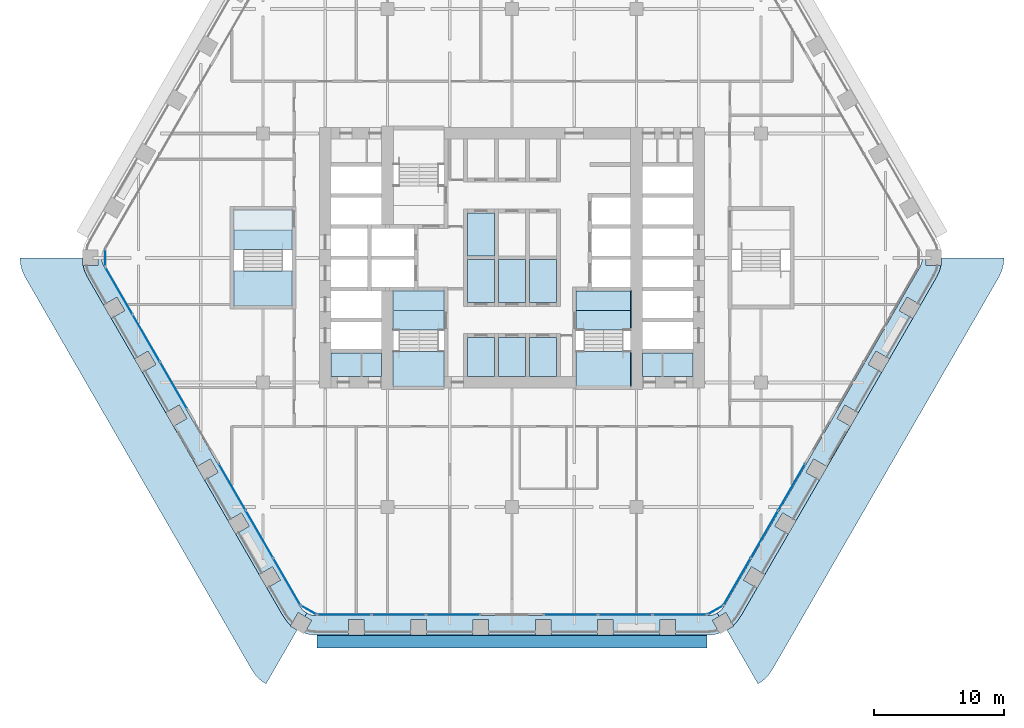
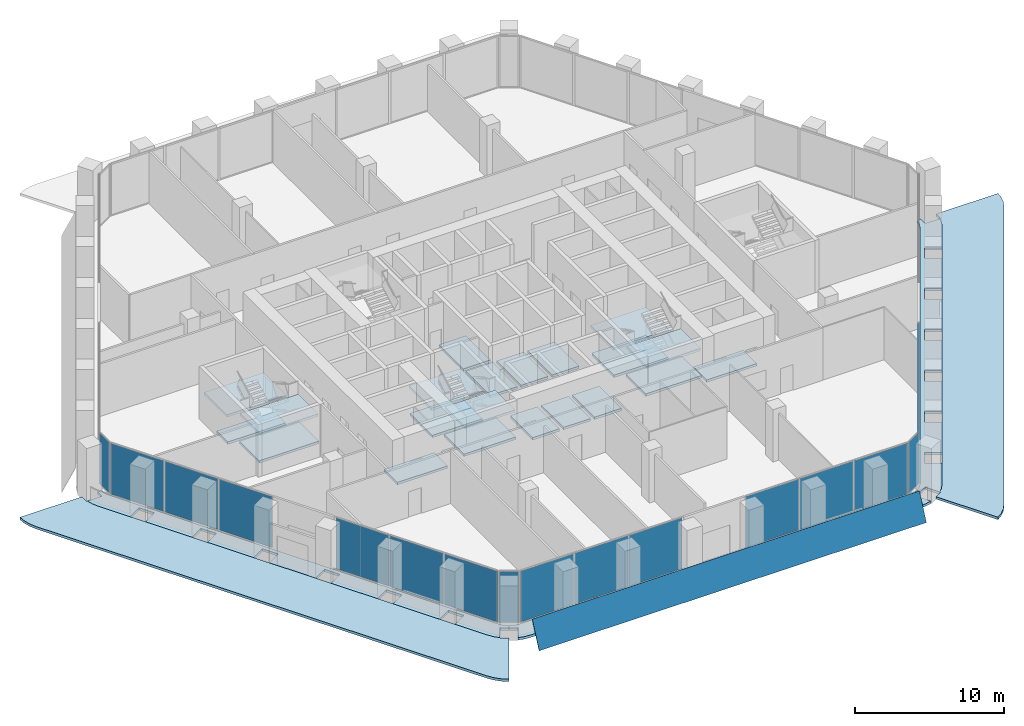
# One storey, part 10 of 23: 28 slabs, 19 plates, 11 elements without a shape of their own.
"""IFC4 building model written with IfcOpenShell, lengths in metres."""

from ifc_helpers import new_model, si_unit, direction, frame, origin, origin_2d, place, context, subcontext, project, spatial, polyline, rectangle, outline, extrude, material, layer, layer_set, type_object, element, aggregate, save


model = new_model("IFC4")

# Units and contexts
model_context = context("Model", 3, precision=1e-05, world=origin(), true_north=direction((0.0, 1.0)))
body_context = subcontext(model_context, "Body", "Model", "MODEL_VIEW")
ifc_project = project(units=[si_unit("LENGTHUNIT", "METRE"), si_unit("AREAUNIT", "SQUARE_METRE"), si_unit("VOLUMEUNIT", "CUBIC_METRE"), si_unit("PLANEANGLEUNIT", "RADIAN"), si_unit("MASSUNIT", "GRAM", prefix="KILO")], contexts=[model_context])

# Site, building, storey
site_placement = place(None, origin())
site = spatial("IfcSite", under=ifc_project, at=site_placement, CompositionType="ELEMENT")
building_placement = place(site_placement, origin())
building = spatial("IfcBuilding", under=site, at=building_placement, Name="Kolab Exchange Tower", CompositionType="ELEMENT")
storey_placement = place(building_placement, frame((0.0, 0.0, 77.89990234375)))
storey = spatial("IfcBuildingStorey", under=building, at=storey_placement, Name="L14", CompositionType="ELEMENT", Elevation=77.89990234375)

# Slabs
ifc_material_1 = material(Name="Concrete C35/45", Category="concrete")
ifc_layer_1 = layer(ifc_material_1, 0.199951171875)
ifc_layer_set_1 = layer_set([ifc_layer_1], Name="Concrete C35/45")
slab_type_1 = type_object("IfcSlabType", Name="FLOOR SLAB 200", PredefinedType="FLOOR", material=ifc_layer_set_1)
slab_1_placement = place(storey_placement, frame((0.0, 0.0, -0.199951171875)))
element("IfcSlab", 1, at=slab_1_placement, inside=storey, type_object=slab_type_1, Name="slab/L14/floor/2", PredefinedType="FLOOR", context=body_context, shape_type="SweptSolid", body=[
    extrude(outline(polyline([(-10.050048828125, -9.14990234375), (-10.050048828125, -7.35009765625), (-13.949951171875, -7.35009765625), (-13.949951171875, -9.14990234375), (-10.050048828125, -9.14990234375)])), origin(), (0.0, 0.0, 1.0), 0.199951171875),
])
slab_2_placement = place(storey_placement, frame((0.0, 0.0, -0.199951171875)))
element("IfcSlab", 2, at=slab_2_placement, inside=storey, type_object=slab_type_1, Name="slab/L14/floor/4", PredefinedType="FLOOR", context=body_context, shape_type="SweptSolid", body=[
    extrude(outline(polyline([(10.050048828125, -9.14990234375), (13.949951171875, -9.14990234375), (13.949951171875, -7.35009765625), (10.050048828125, -7.35009765625), (10.050048828125, -9.14990234375)])), origin(), (0.0, 0.0, 1.0), 0.199951171875),
])
slab_3_placement = place(storey_placement, frame((0.0, 0.0, -0.199951171875)))
element("IfcSlab", 3, at=slab_3_placement, inside=storey, type_object=slab_type_1, Name="slab/L14/floor/6", PredefinedType="FLOOR", context=body_context, shape_type="SweptSolid", body=[
    extrude(outline(polyline([(-1.35009765625, -3.449951171875), (-1.35009765625, -0.14990234375), (-3.449951171875, -0.14990234375), (-3.449951171875, -3.449951171875), (-1.35009765625, -3.449951171875)])), origin(), (0.0, 0.0, 1.0), 0.199951171875),
])
slab_4_placement = place(storey_placement, frame((0.0, 0.0, -0.199951171875)))
element("IfcSlab", 4, at=slab_4_placement, inside=storey, type_object=slab_type_1, Name="slab/L14/floor/7", PredefinedType="FLOOR", context=body_context, shape_type="SweptSolid", body=[
    extrude(outline(polyline([(-1.35009765625, 0.14990234375), (-1.35009765625, 3.449951171875), (-3.449951171875, 3.449951171875), (-3.449951171875, 0.14990234375), (-1.35009765625, 0.14990234375)])), origin(), (0.0, 0.0, 1.0), 0.199951171875),
])
slab_5_placement = place(storey_placement, frame((0.0, 0.0, -0.199951171875)))
element("IfcSlab", 5, at=slab_5_placement, inside=storey, type_object=slab_type_1, Name="slab/L14/floor/8", PredefinedType="FLOOR", context=body_context, shape_type="SweptSolid", body=[
    extrude(outline(polyline([(-1.050048828125, -0.14990234375), (-1.050048828125, -3.449951171875), (1.050048828125, -3.449951171875), (1.050048828125, -0.14990234375), (-1.050048828125, -0.14990234375)])), origin(), (0.0, 0.0, 1.0), 0.199951171875),
])
slab_6_placement = place(storey_placement, frame((0.0, 0.0, -0.199951171875)))
element("IfcSlab", 6, at=slab_6_placement, inside=storey, type_object=slab_type_1, Name="slab/L14/floor/10", PredefinedType="FLOOR", context=body_context, shape_type="SweptSolid", body=[
    extrude(outline(polyline([(1.35009765625, -3.449951171875), (3.449951171875, -3.449951171875), (3.449951171875, -0.14990234375), (1.35009765625, -0.14990234375), (1.35009765625, -3.449951171875)])), origin(), (0.0, 0.0, 1.0), 0.199951171875),
])
slab_7_placement = place(storey_placement, frame((0.0, 0.0, -0.199951171875)))
element("IfcSlab", 7, at=slab_7_placement, inside=storey, type_object=slab_type_1, Name="slab/L14/floor/14", PredefinedType="FLOOR", context=body_context, shape_type="SweptSolid", body=[
    extrude(outline(polyline([(-1.35009765625, -6.14990234375), (-3.449951171875, -6.14990234375), (-3.449951171875, -9.14990234375), (-1.35009765625, -9.14990234375), (-1.35009765625, -6.14990234375)])), origin(), (0.0, 0.0, 1.0), 0.199951171875),
])
slab_8_placement = place(storey_placement, frame((0.0, 0.0, -0.199951171875)))
element("IfcSlab", 8, at=slab_8_placement, inside=storey, type_object=slab_type_1, Name="slab/L14/floor/16", PredefinedType="FLOOR", context=body_context, shape_type="SweptSolid", body=[
    extrude(outline(polyline([(1.050048828125, -6.14990234375), (-1.050048828125, -6.14990234375), (-1.050048828125, -9.14990234375), (1.050048828125, -9.14990234375), (1.050048828125, -6.14990234375)])), origin(), (0.0, 0.0, 1.0), 0.199951171875),
])
slab_9_placement = place(storey_placement, frame((0.0, 0.0, -0.199951171875)))
element("IfcSlab", 9, at=slab_9_placement, inside=storey, type_object=slab_type_1, Name="slab/L14/floor/18", PredefinedType="FLOOR", context=body_context, shape_type="SweptSolid", body=[
    extrude(outline(polyline([(1.35009765625, -6.14990234375), (1.35009765625, -9.14990234375), (3.449951171875, -9.14990234375), (3.449951171875, -6.14990234375), (1.35009765625, -6.14990234375)])), origin(), (0.0, 0.0, 1.0), 0.199951171875),
])
slab_10_placement = place(storey_placement, frame((0.0, 0.0, -0.199951171875)))
element("IfcSlab", 10, at=slab_10_placement, inside=storey, type_object=slab_type_1, Name="slab/L14/floor/20", PredefinedType="FLOOR", context=body_context, shape_type="SweptSolid", body=[
    extrude(outline(polyline([(4.949951171875, -4.050048828125), (9.14990234375, -4.050048828125), (9.14990234375, -2.550048828125), (6.14990234375, -2.550048828125), (5.85009765625, -2.550048828125), (4.949951171875, -2.550048828125), (4.949951171875, -4.050048828125)])), origin(), (0.0, 0.0, 1.0), 0.199951171875),
])
slab_11_placement = place(storey_placement, frame((0.0, 0.0, -0.199951171875)))
element("IfcSlab", 11, at=slab_11_placement, inside=storey, type_object=slab_type_1, Name="slab/L14/floor/21", PredefinedType="FLOOR", context=body_context, shape_type="SweptSolid", body=[
    extrude(outline(polyline([(-9.14990234375, -2.550048828125), (-9.14990234375, -4.050048828125), (-5.25, -4.050048828125), (-5.25, -2.550048828125), (-7.25, -2.550048828125), (-7.550048828125, -2.550048828125), (-9.14990234375, -2.550048828125)])), origin(), (0.0, 0.0, 1.0), 0.199951171875),
])
ifc_layer_2 = layer(ifc_material_1, 0.199951171875)
ifc_layer_set_2 = layer_set([ifc_layer_2], Name="Concrete C35/45")
slab_type_2 = type_object("IfcSlabType", Name="LOGGIA SLAB 200", PredefinedType="FLOOR", material=ifc_layer_set_2)
slab_12_placement = place(storey_placement, frame((0.0, 0.0, -0.199951171875)))
element("IfcSlab", 12, at=slab_12_placement, inside=storey, type_object=slab_type_2, Name="slab/L14/loggia/2-0", PredefinedType="FLOOR", context=body_context, shape_type="SweptSolid", body=[
    extrude(outline(polyline([(17.666015625, -27.598388671875), (18.89990234375, -25.461181640625), (17.86083984375, -24.861083984375), (18.460693359375, -23.822021484375), (19.5, -24.421875), (21.300048828125, -21.30419921875), (20.2607421875, -20.704345703125), (20.86083984375, -19.6650390625), (21.89990234375, -20.264892578125), (23.699951171875, -17.147216796875), (22.660888671875, -16.54736328125), (23.2607421875, -15.508056640625), (24.300048828125, -16.108154296875), (26.10009765625, -12.990478515625), (25.060791015625, -12.390380859375), (25.660888671875, -11.35107421875), (26.699951171875, -11.951171875), (28.5, -8.83349609375), (27.460693359375, -8.2333984375), (28.060791015625, -7.1943359375), (29.10009765625, -7.794189453125), (30.89990234375, -4.676513671875), (29.86083984375, -4.076416015625), (30.460693359375, -3.037353515625), (31.5, -3.63720703125), (32.73388671875, -1.5), (32.955078125, -1.026123046875), (33.069091796875, -0.60009765625), (31.935791015625, -0.60009765625), (31.935791015625, 0.0), (31.635986328125, 0.0), (31.613037109375, -0.260498046875), (31.54541015625, -0.512939453125), (31.434814453125, -0.75), (16.366943359375, -26.848388671875), (16.217041015625, -27.062744140625), (16.0322265625, -27.24755859375), (15.81787109375, -27.3974609375), (15.968017578125, -27.6572265625), (16.487548828125, -27.357177734375), (17.05419921875, -28.338623046875), (17.365966796875, -28.02685546875), (17.666015625, -27.598388671875)])), origin(), (0.0, 0.0, 1.0), 0.199951171875),
])
slab_13_placement = place(storey_placement, frame((0.0, 0.0, -0.199951171875)))
element("IfcSlab", 13, at=slab_13_placement, inside=storey, type_object=slab_type_2, Name="slab/L14/loggia/3-0", PredefinedType="FLOOR", context=body_context, shape_type="SweptSolid", body=[
    extrude(outline(polyline([(-15.81787109375, -27.3974609375), (-15.968017578125, -27.6572265625), (-15.4482421875, -27.957275390625), (-16.014892578125, -28.938720703125), (-15.5888671875, -29.052978515625), (-15.06787109375, -29.098388671875), (-12.60009765625, -29.098388671875), (-12.60009765625, -27.8984375), (-11.39990234375, -27.8984375), (-11.39990234375, -29.098388671875), (-7.800048828125, -29.098388671875), (-7.800048828125, -27.8984375), (-6.60009765625, -27.8984375), (-6.60009765625, -29.098388671875), (-3.0, -29.098388671875), (-3.0, -27.8984375), (-1.800048828125, -27.8984375), (-1.800048828125, -29.098388671875), (1.800048828125, -29.098388671875), (1.800048828125, -27.8984375), (3.0, -27.8984375), (3.0, -29.098388671875), (6.60009765625, -29.098388671875), (6.60009765625, -27.8984375), (7.800048828125, -27.8984375), (7.800048828125, -29.098388671875), (11.39990234375, -29.098388671875), (11.39990234375, -27.8984375), (12.60009765625, -27.8984375), (12.60009765625, -29.098388671875), (15.06787109375, -29.098388671875), (15.5888671875, -29.052978515625), (16.014892578125, -28.938720703125), (15.4482421875, -27.957275390625), (15.968017578125, -27.6572265625), (15.81787109375, -27.3974609375), (15.5810546875, -27.508056640625), (15.328369140625, -27.57568359375), (15.06787109375, -27.598388671875), (-15.06787109375, -27.598388671875), (-15.328369140625, -27.57568359375), (-15.5810546875, -27.508056640625), (-15.81787109375, -27.3974609375)])), origin(), (0.0, 0.0, 1.0), 0.199951171875),
])
slab_14_placement = place(storey_placement, frame((0.0, 0.0, -0.199951171875)))
element("IfcSlab", 14, at=slab_14_placement, inside=storey, type_object=slab_type_2, Name="slab/L14/loggia/4-0", PredefinedType="FLOOR", context=body_context, shape_type="SweptSolid", body=[
    extrude(outline(polyline([(-31.635986328125, 0.0), (-31.935791015625, 0.0), (-31.935791015625, -0.60009765625), (-33.069091796875, -0.60009765625), (-32.955078125, -1.026123046875), (-32.73388671875, -1.5), (-31.5, -3.63720703125), (-30.460693359375, -3.037353515625), (-29.86083984375, -4.076416015625), (-30.89990234375, -4.676513671875), (-29.10009765625, -7.794189453125), (-28.060791015625, -7.1943359375), (-27.460693359375, -8.2333984375), (-28.5, -8.83349609375), (-26.699951171875, -11.951171875), (-25.660888671875, -11.35107421875), (-25.060791015625, -12.390380859375), (-26.10009765625, -12.990478515625), (-24.300048828125, -16.108154296875), (-23.2607421875, -15.508056640625), (-22.660888671875, -16.54736328125), (-23.699951171875, -17.147216796875), (-21.89990234375, -20.264892578125), (-20.86083984375, -19.6650390625), (-20.2607421875, -20.704345703125), (-21.300048828125, -21.30419921875), (-19.5, -24.421875), (-18.460693359375, -23.822021484375), (-17.86083984375, -24.861083984375), (-18.89990234375, -25.461181640625), (-17.666015625, -27.598388671875), (-17.365966796875, -28.02685546875), (-17.05419921875, -28.338623046875), (-16.487548828125, -27.357177734375), (-15.968017578125, -27.6572265625), (-15.81787109375, -27.3974609375), (-16.0322265625, -27.24755859375), (-16.217041015625, -27.062744140625), (-16.366943359375, -26.848388671875), (-31.434814453125, -0.75), (-31.54541015625, -0.512939453125), (-31.613037109375, -0.260498046875), (-31.635986328125, 0.0)])), origin(), (0.0, 0.0, 1.0), 0.199951171875),
])

# Plate
ifc_material_2 = material(Name="Laminated glass, clear", Category="glass")
ifc_layer_3 = layer(ifc_material_2, 0.0400390625)
ifc_layer_set_3 = layer_set([ifc_layer_3], Name="Laminated glass, clear")
plate_type_1 = type_object("IfcPlateType", Name="OUTER SKIN LAMINATED GLASS SHEET 40", PredefinedType="SHEET", material=ifc_layer_set_3)
plate_1_placement = place(storey_placement, frame((15.01806640625, -30.078857421875, -0.73291015625), z_axis=(0.0, -0.906331045159, 0.422568380954), x_axis=(-1.0, 0.0, 0.0)))
element("IfcPlate", 15, at=plate_1_placement, inside=storey, type_object=plate_type_1, Name="Outer skin", PredefinedType="SHEET", context=body_context, shape_type="SweptSolid", body=[
    extrude(outline(polyline([(0.0, 0.0), (30.0361328125, 0.0), (30.0361328125, -2.2341751996320496), (0.0, -2.2341751996320496), (0.0, 0.0)])), origin(), (0.0, 0.0, -1.0), 0.0400390625),
])

# Stair, slabs
ifc_material_3 = material(Name="Concrete C50/60", Category="concrete")
stair_type_1 = type_object("IfcStairType", Name="STAIR ST3 RISER 160.7", PredefinedType="DOUBLE_RETURN_STAIR", material=ifc_material_3)
stair_1_placement = place(storey_placement, origin())
stair_1 = element("IfcStair", 16, at=stair_1_placement, inside=storey, type_object=stair_type_1, Name="Stair 3", PredefinedType="DOUBLE_RETURN_STAIR")
ifc_layer_4 = layer(ifc_material_3, 0.199951171875)
ifc_layer_set_4 = layer_set([ifc_layer_4], Name="Concrete C50/60")
slab_type_3 = type_object("IfcSlabType", Name="STAIR LANDING 200", PredefinedType="LANDING", material=ifc_layer_set_4)
slab_15_placement = place(storey_placement, frame((0.0, 0.0, -0.199951171875)))
slab_15 = element("IfcSlab", 17, at=slab_15_placement, type_object=slab_type_3, Name="ST3 landing 1", PredefinedType="LANDING", context=body_context, shape_type="SweptSolid", body=[
    extrude(outline(polyline([(-9.14990234375, -5.550048828125), (-5.25, -5.550048828125), (-5.25, -4.050048828125), (-9.14990234375, -4.050048828125), (-9.14990234375, -5.550048828125)])), origin(), (0.0, 0.0, 1.0), 0.199951171875),
])
slab_16_placement = place(storey_placement, frame((0.0, 0.0, 0.925048828125)))
slab_16 = element("IfcSlab", 18, at=slab_16_placement, type_object=slab_type_3, Name="ST3 landing 2", PredefinedType="LANDING", context=body_context, shape_type="SweptSolid", body=[
    extrude(outline(polyline([(-9.2099609375, -9.909912109375), (-5.18994140625, -9.909912109375), (-5.18994140625, -7.22998046875), (-9.2099609375, -7.22998046875), (-9.2099609375, -9.909912109375)])), origin(), (0.0, 0.0, 1.0), 0.199951171875),
])
slab_17_placement = place(storey_placement, frame((0.0, 0.0, 2.050048828125)))
slab_17 = element("IfcSlab", 19, at=slab_17_placement, type_object=slab_type_3, Name="ST3 landing 3", PredefinedType="LANDING", context=body_context, shape_type="SweptSolid", body=[
    extrude(outline(polyline([(-9.2099609375, -5.550048828125), (-5.18994140625, -5.550048828125), (-5.18994140625, -2.489990234375), (-9.2099609375, -2.489990234375), (-9.2099609375, -5.550048828125)])), origin(), (0.0, 0.0, 1.0), 0.199951171875),
])
slab_18_placement = place(storey_placement, frame((0.0, 0.0, 3.175048828125)))
slab_18 = element("IfcSlab", 20, at=slab_18_placement, type_object=slab_type_3, Name="ST3 landing 4", PredefinedType="LANDING", context=body_context, shape_type="SweptSolid", body=[
    extrude(outline(polyline([(-9.14990234375, -9.909912109375), (-5.25, -9.909912109375), (-5.25, -7.22998046875), (-9.14990234375, -7.22998046875), (-9.14990234375, -9.909912109375)])), origin(), (0.0, 0.0, 1.0), 0.199951171875),
])
aggregate(stair_1, [slab_15, slab_16, slab_17, slab_18])

stair_type_2 = type_object("IfcStairType", Name="STAIR ST2 RISER 160.7", PredefinedType="DOUBLE_RETURN_STAIR", material=ifc_material_3)
stair_2_placement = place(storey_placement, origin())
stair_2 = element("IfcStair", 21, at=stair_2_placement, inside=storey, type_object=stair_type_2, Name="Stair 2", PredefinedType="DOUBLE_RETURN_STAIR")
slab_19_placement = place(storey_placement, frame((0.0, 0.0, -0.199951171875)))
slab_19 = element("IfcSlab", 22, at=slab_19_placement, type_object=slab_type_3, Name="ST2 landing 1", PredefinedType="LANDING", context=body_context, shape_type="SweptSolid", body=[
    extrude(outline(polyline([(4.949951171875, -5.550048828125), (9.14990234375, -5.550048828125), (9.14990234375, -4.050048828125), (4.949951171875, -4.050048828125), (4.949951171875, -5.550048828125)])), origin(), (0.0, 0.0, 1.0), 0.199951171875),
])
slab_20_placement = place(storey_placement, frame((0.0, 0.0, 0.925048828125)))
slab_20 = element("IfcSlab", 23, at=slab_20_placement, type_object=slab_type_3, Name="ST2 landing 2", PredefinedType="LANDING", context=body_context, shape_type="SweptSolid", body=[
    extrude(outline(polyline([(4.889892578125, -9.909912109375), (9.2099609375, -9.909912109375), (9.2099609375, -7.22998046875), (4.889892578125, -7.22998046875), (4.889892578125, -9.909912109375)])), origin(), (0.0, 0.0, 1.0), 0.199951171875),
])
slab_21_placement = place(storey_placement, frame((0.0, 0.0, 2.050048828125)))
slab_21 = element("IfcSlab", 24, at=slab_21_placement, type_object=slab_type_3, Name="ST2 landing 3", PredefinedType="LANDING", context=body_context, shape_type="SweptSolid", body=[
    extrude(outline(polyline([(4.889892578125, -5.550048828125), (9.2099609375, -5.550048828125), (9.2099609375, -2.489990234375), (4.889892578125, -2.489990234375), (4.889892578125, -5.550048828125)])), origin(), (0.0, 0.0, 1.0), 0.199951171875),
])
slab_22_placement = place(storey_placement, frame((0.0, 0.0, 3.175048828125)))
slab_22 = element("IfcSlab", 25, at=slab_22_placement, type_object=slab_type_3, Name="ST2 landing 4", PredefinedType="LANDING", context=body_context, shape_type="SweptSolid", body=[
    extrude(outline(polyline([(4.949951171875, -9.909912109375), (9.14990234375, -9.909912109375), (9.14990234375, -7.22998046875), (4.949951171875, -7.22998046875), (4.949951171875, -9.909912109375)])), origin(), (0.0, 0.0, 1.0), 0.199951171875),
])
aggregate(stair_2, [slab_19, slab_20, slab_21, slab_22])

stair_type_3 = type_object("IfcStairType", Name="STAIR ST5 RISER 160.7", PredefinedType="DOUBLE_RETURN_STAIR", material=ifc_material_3)
stair_3_placement = place(storey_placement, origin())
stair_3 = element("IfcStair", 26, at=stair_3_placement, inside=storey, type_object=stair_type_3, Name="Stair 5", PredefinedType="DOUBLE_RETURN_STAIR")
slab_23_placement = place(storey_placement, frame((0.0, 0.0, -0.199951171875)))
slab_23 = element("IfcSlab", 27, at=slab_23_placement, type_object=slab_type_3, Name="ST5 landing 1", PredefinedType="LANDING", context=body_context, shape_type="SweptSolid", body=[
    extrude(outline(polyline([(-21.449951171875, 0.64990234375), (-16.949951171875, 0.64990234375), (-16.949951171875, 2.14990234375), (-21.449951171875, 2.14990234375), (-21.449951171875, 0.64990234375)])), origin(), (0.0, 0.0, 1.0), 0.199951171875),
])
slab_24_placement = place(storey_placement, frame((0.0, 0.0, 0.925048828125)))
slab_24 = element("IfcSlab", 28, at=slab_24_placement, type_object=slab_type_3, Name="ST5 landing 2", PredefinedType="LANDING", context=body_context, shape_type="SweptSolid", body=[
    extrude(outline(polyline([(-21.510009765625, -3.7099609375), (-16.889892578125, -3.7099609375), (-16.889892578125, -1.030029296875), (-21.510009765625, -1.030029296875), (-21.510009765625, -3.7099609375)])), origin(), (0.0, 0.0, 1.0), 0.199951171875),
])
slab_25_placement = place(storey_placement, frame((0.0, 0.0, 2.050048828125)))
slab_25 = element("IfcSlab", 29, at=slab_25_placement, type_object=slab_type_3, Name="ST5 landing 3", PredefinedType="LANDING", context=body_context, shape_type="SweptSolid", body=[
    extrude(outline(polyline([(-21.510009765625, 0.64990234375), (-16.889892578125, 0.64990234375), (-16.889892578125, 3.7099609375), (-21.510009765625, 3.7099609375), (-21.510009765625, 0.64990234375)])), origin(), (0.0, 0.0, 1.0), 0.199951171875),
])
slab_26_placement = place(storey_placement, frame((0.0, 0.0, 3.175048828125)))
slab_26 = element("IfcSlab", 30, at=slab_26_placement, type_object=slab_type_3, Name="ST5 landing 4", PredefinedType="LANDING", context=body_context, shape_type="SweptSolid", body=[
    extrude(outline(polyline([(-21.449951171875, -3.7099609375), (-16.949951171875, -3.7099609375), (-16.949951171875, -1.030029296875), (-21.449951171875, -1.030029296875), (-21.449951171875, -3.7099609375)])), origin(), (0.0, 0.0, 1.0), 0.199951171875),
])
aggregate(stair_3, [slab_23, slab_24, slab_25, slab_26])

# Slabs
ifc_layer_5 = layer(ifc_material_1, 0.199951171875)
ifc_layer_set_5 = layer_set([ifc_layer_5], Name="Concrete C35/45")
slab_type_4 = type_object("IfcSlabType", Name="TERRACE SLAB 200 PLANTED", PredefinedType="ROOF", material=ifc_layer_set_5)
slab_27_placement = place(storey_placement, frame((0.0, 0.0, -0.199951171875)))
element("IfcSlab", 31, at=slab_27_placement, inside=storey, type_object=slab_type_4, Name="slab/L13/ledge-L14-F3/0", PredefinedType="ROOF", context=body_context, shape_type="SweptSolid", body=[
    extrude(outline(polyline([(37.935791015625, 0.0), (33.135986328125, 0.0), (33.135986328125, -0.60009765625), (33.069091796875, -0.60009765625), (32.955078125, -1.026123046875), (32.73388671875, -1.5), (29.10009765625, -7.794189453125), (28.5, -8.83349609375), (26.699951171875, -11.951171875), (26.10009765625, -12.990478515625), (24.300048828125, -16.108154296875), (23.699951171875, -17.147216796875), (21.89990234375, -20.264892578125), (21.300048828125, -21.30419921875), (19.5, -24.421875), (18.89990234375, -25.461181640625), (17.666015625, -27.598388671875), (17.365966796875, -28.02685546875), (17.05419921875, -28.338623046875), (17.087646484375, -28.396484375), (16.56787109375, -28.696533203125), (18.968017578125, -32.853515625), (19.396240234375, -32.553466796875), (19.76611328125, -32.183837890625), (20.06591796875, -31.75537109375), (37.533935546875, -1.5), (37.7548828125, -1.026123046875), (37.890380859375, -0.52099609375), (37.935791015625, 0.0)])), origin(), (0.0, 0.0, 1.0), 0.199951171875),
])
slab_28_placement = place(storey_placement, frame((0.0, 0.0, -0.199951171875)))
element("IfcSlab", 32, at=slab_28_placement, inside=storey, type_object=slab_type_4, Name="slab/L13/ledge-L14-F5/0", PredefinedType="ROOF", context=body_context, shape_type="SweptSolid", body=[
    extrude(outline(polyline([(-18.968017578125, -32.853515625), (-16.56787109375, -28.696533203125), (-17.087646484375, -28.396484375), (-17.05419921875, -28.338623046875), (-17.365966796875, -28.02685546875), (-17.666015625, -27.598388671875), (-18.89990234375, -25.461181640625), (-19.5, -24.421875), (-21.300048828125, -21.30419921875), (-21.89990234375, -20.264892578125), (-23.699951171875, -17.147216796875), (-24.300048828125, -16.108154296875), (-26.10009765625, -12.990478515625), (-26.699951171875, -11.951171875), (-28.5, -8.83349609375), (-29.10009765625, -7.794189453125), (-32.73388671875, -1.5), (-32.955078125, -1.026123046875), (-33.069091796875, -0.60009765625), (-33.135986328125, -0.60009765625), (-33.135986328125, 0.0), (-37.935791015625, 0.0), (-37.890380859375, -0.52099609375), (-37.7548828125, -1.026123046875), (-37.533935546875, -1.5), (-20.06591796875, -31.75537109375), (-19.76611328125, -32.183837890625), (-19.396240234375, -32.553466796875), (-18.968017578125, -32.853515625)])), origin(), (0.0, 0.0, 1.0), 0.199951171875),
])

# Curtain wall, plates
ifc_material_4 = material(Name="Aluminium EN AW-6063 T6", Category="aluminium")
curtain_wall_type = type_object("IfcCurtainWallType", Name="UNITISED LOWER MID ZONE CURTAIN WALL", PredefinedType="NOTDEFINED", material=ifc_material_4)
curtain_wall_1_placement = place(storey_placement, origin())
curtain_wall_1 = element("IfcCurtainWall", 33, at=curtain_wall_1_placement, inside=storey, type_object=curtain_wall_type, Name="cw/L14/F3-2", PredefinedType="NOTDEFINED")
ifc_material_5 = material(Name="Clear insulated glazing unit", Category="glass")
ifc_layer_6 = layer(ifc_material_5, 0.02587890625)
ifc_layer_set_6 = layer_set([ifc_layer_6], Name="Clear insulated glazing unit")
plate_type_2 = type_object("IfcPlateType", Name="UNITISED LOWER MID ZONE GLASS PANEL 26", PredefinedType="CURTAIN_PANEL", material=ifc_layer_set_6)
plate_2_placement = place(storey_placement, frame((21.568603515625, -17.67919921875, 0.06005859375), z_axis=(0.0, 0.0, 1.0), x_axis=(-0.500000017564, -0.866025393644, 0.0)))
plate_2 = element("IfcPlate", 34, at=plate_2_placement, type_object=plate_type_2, Name="CW2 panel 1.1", PredefinedType="CURTAIN_PANEL", context=body_context, shape_type="SweptSolid", body=[
    extrude(rectangle(XDim=4.132568359375, YDim=0.02587890625, at=origin_2d()), origin(), (0.0, 0.0, 1.0), 4.179931640625),
])
plate_3_placement = place(storey_placement, frame((19.464599609375, -21.322998046875, 0.06005859375), z_axis=(0.0, 0.0, 1.0), x_axis=(-0.500000017564, -0.866025393644, 0.0)))
plate_3 = element("IfcPlate", 35, at=plate_3_placement, type_object=plate_type_2, Name="CW2 panel 2.1", PredefinedType="CURTAIN_PANEL", context=body_context, shape_type="SweptSolid", body=[
    extrude(rectangle(XDim=4.16259765625, YDim=0.02587890625, at=origin_2d()), origin(), (0.0, 0.0, 1.0), 4.179931640625),
])
plate_4_placement = place(storey_placement, frame((17.36083984375, -24.967041015625, 0.06005859375), z_axis=(0.0, 0.0, 1.0), x_axis=(-0.500000017564, -0.866025393644, 0.0)))
plate_4 = element("IfcPlate", 36, at=plate_4_placement, type_object=plate_type_2, Name="CW2 panel 3.1", PredefinedType="CURTAIN_PANEL", context=body_context, shape_type="SweptSolid", body=[
    extrude(rectangle(XDim=4.132568359375, YDim=0.02587890625, at=origin_2d()), origin(), (0.0, 0.0, 1.0), 4.179931640625),
])
aggregate(curtain_wall_1, [plate_2, plate_3, plate_4])

curtain_wall_2_placement = place(storey_placement, origin())
curtain_wall_2 = element("IfcCurtainWall", 37, at=curtain_wall_2_placement, inside=storey, type_object=curtain_wall_type, Name="cw/L14/F4-1", PredefinedType="NOTDEFINED")
plate_5_placement = place(storey_placement, frame((12.941650390625, -27.5185546875, 0.06005859375), z_axis=(0.0, 0.0, 1.0), x_axis=(-1.0, 0.0, 0.0)))
plate_5 = element("IfcPlate", 38, at=plate_5_placement, type_object=plate_type_2, Name="CW2 panel 1.1", PredefinedType="CURTAIN_PANEL", context=body_context, shape_type="SweptSolid", body=[
    extrude(rectangle(XDim=4.132568359375, YDim=0.02587890625, at=origin_2d()), origin(), (0.0, 0.0, 1.0), 4.179931640625),
])
plate_6_placement = place(storey_placement, frame((8.73388671875, -27.5185546875, 0.06005859375), z_axis=(0.0, 0.0, 1.0), x_axis=(-1.0, 0.0, 0.0)))
plate_6 = element("IfcPlate", 39, at=plate_6_placement, type_object=plate_type_2, Name="CW2 panel 2.1", PredefinedType="CURTAIN_PANEL", context=body_context, shape_type="SweptSolid", body=[
    extrude(rectangle(XDim=4.16259765625, YDim=0.02587890625, at=origin_2d()), origin(), (0.0, 0.0, 1.0), 4.179931640625),
])
plate_7_placement = place(storey_placement, frame((4.5263671875, -27.5185546875, 0.06005859375), z_axis=(0.0, 0.0, 1.0), x_axis=(-1.0, 0.0, 0.0)))
plate_7 = element("IfcPlate", 40, at=plate_7_placement, type_object=plate_type_2, Name="CW2 panel 3.1", PredefinedType="CURTAIN_PANEL", context=body_context, shape_type="SweptSolid", body=[
    extrude(rectangle(XDim=4.132568359375, YDim=0.02587890625, at=origin_2d()), origin(), (0.0, 0.0, 1.0), 4.179931640625),
])
aggregate(curtain_wall_2, [plate_5, plate_6, plate_7])

curtain_wall_3_placement = place(storey_placement, origin())
curtain_wall_3 = element("IfcCurtainWall", 41, at=curtain_wall_3_placement, inside=storey, type_object=curtain_wall_type, Name="cw/L14/F4-2", PredefinedType="NOTDEFINED")
plate_8_placement = place(storey_placement, frame((-4.5263671875, -27.5185546875, 0.06005859375), z_axis=(0.0, 0.0, 1.0), x_axis=(-1.0, 0.0, 0.0)))
plate_8 = element("IfcPlate", 42, at=plate_8_placement, type_object=plate_type_2, Name="CW2 panel 1.1", PredefinedType="CURTAIN_PANEL", context=body_context, shape_type="SweptSolid", body=[
    extrude(rectangle(XDim=4.132568359375, YDim=0.02587890625, at=origin_2d()), origin(), (0.0, 0.0, 1.0), 4.179931640625),
])
plate_9_placement = place(storey_placement, frame((-8.73388671875, -27.5185546875, 0.06005859375), z_axis=(0.0, 0.0, 1.0), x_axis=(-1.0, 0.0, 0.0)))
plate_9 = element("IfcPlate", 43, at=plate_9_placement, type_object=plate_type_2, Name="CW2 panel 2.1", PredefinedType="CURTAIN_PANEL", context=body_context, shape_type="SweptSolid", body=[
    extrude(rectangle(XDim=4.16259765625, YDim=0.02587890625, at=origin_2d()), origin(), (0.0, 0.0, 1.0), 4.179931640625),
])
plate_10_placement = place(storey_placement, frame((-12.941650390625, -27.5185546875, 0.06005859375), z_axis=(0.0, 0.0, 1.0), x_axis=(-1.0, 0.0, 0.0)))
plate_10 = element("IfcPlate", 44, at=plate_10_placement, type_object=plate_type_2, Name="CW2 panel 3.1", PredefinedType="CURTAIN_PANEL", context=body_context, shape_type="SweptSolid", body=[
    extrude(rectangle(XDim=4.132568359375, YDim=0.02587890625, at=origin_2d()), origin(), (0.0, 0.0, 1.0), 4.179931640625),
])
aggregate(curtain_wall_3, [plate_8, plate_9, plate_10])

curtain_wall_4_placement = place(storey_placement, origin())
curtain_wall_4 = element("IfcCurtainWall", 45, at=curtain_wall_4_placement, inside=storey, type_object=curtain_wall_type, Name="cw/L14/F5-1", PredefinedType="NOTDEFINED")
plate_11_placement = place(storey_placement, frame((-17.36083984375, -24.967041015625, 0.06005859375), z_axis=(0.0, 0.0, 1.0), x_axis=(-0.500000017564, 0.866025393644, 0.0)))
plate_11 = element("IfcPlate", 46, at=plate_11_placement, type_object=plate_type_2, Name="CW2 panel 1.1", PredefinedType="CURTAIN_PANEL", context=body_context, shape_type="SweptSolid", body=[
    extrude(rectangle(XDim=4.132568359375, YDim=0.02587890625, at=origin_2d()), origin(), (0.0, 0.0, 1.0), 4.179931640625),
])
plate_12_placement = place(storey_placement, frame((-19.464599609375, -21.322998046875, 0.06005859375), z_axis=(0.0, 0.0, 1.0), x_axis=(-0.500000017564, 0.866025393644, 0.0)))
plate_12 = element("IfcPlate", 47, at=plate_12_placement, type_object=plate_type_2, Name="CW2 panel 2.1", PredefinedType="CURTAIN_PANEL", context=body_context, shape_type="SweptSolid", body=[
    extrude(rectangle(XDim=4.16259765625, YDim=0.02587890625, at=origin_2d()), origin(), (0.0, 0.0, 1.0), 4.179931640625),
])
plate_13_placement = place(storey_placement, frame((-21.568603515625, -17.67919921875, 0.06005859375), z_axis=(0.0, 0.0, 1.0), x_axis=(-0.500000017564, 0.866025393644, 0.0)))
plate_13 = element("IfcPlate", 48, at=plate_13_placement, type_object=plate_type_2, Name="CW2 panel 3.1", PredefinedType="CURTAIN_PANEL", context=body_context, shape_type="SweptSolid", body=[
    extrude(rectangle(XDim=4.132568359375, YDim=0.02587890625, at=origin_2d()), origin(), (0.0, 0.0, 1.0), 4.179931640625),
])
aggregate(curtain_wall_4, [plate_11, plate_12, plate_13])

curtain_wall_5_placement = place(storey_placement, origin())
curtain_wall_5 = element("IfcCurtainWall", 49, at=curtain_wall_5_placement, inside=storey, type_object=curtain_wall_type, Name="cw/L14/F5-2", PredefinedType="NOTDEFINED")
plate_14_placement = place(storey_placement, frame((-26.0947265625, -9.83935546875, 0.06005859375), z_axis=(0.0, 0.0, 1.0), x_axis=(-0.499999958358, 0.866025427826, 0.0)))
plate_14 = element("IfcPlate", 50, at=plate_14_placement, type_object=plate_type_2, Name="CW2 panel 1.1", PredefinedType="CURTAIN_PANEL", context=body_context, shape_type="SweptSolid", body=[
    extrude(rectangle(XDim=4.132568359375, YDim=0.02587890625, at=origin_2d()), origin(), (0.0, 0.0, 1.0), 4.179931640625),
])
plate_15_placement = place(storey_placement, frame((-28.19873046875, -6.1953125, 0.06005859375), z_axis=(0.0, 0.0, 1.0), x_axis=(-0.499999958358, 0.866025427826, 0.0)))
plate_15 = element("IfcPlate", 51, at=plate_15_placement, type_object=plate_type_2, Name="CW2 panel 2.1", PredefinedType="CURTAIN_PANEL", context=body_context, shape_type="SweptSolid", body=[
    extrude(rectangle(XDim=4.16259765625, YDim=0.02587890625, at=origin_2d()), origin(), (0.0, 0.0, 1.0), 4.179931640625),
])
plate_16_placement = place(storey_placement, frame((-30.302490234375, -2.551513671875, 0.06005859375), z_axis=(0.0, 0.0, 1.0), x_axis=(-0.499999958358, 0.866025427826, 0.0)))
plate_16 = element("IfcPlate", 52, at=plate_16_placement, type_object=plate_type_2, Name="CW2 panel 3.1", PredefinedType="CURTAIN_PANEL", context=body_context, shape_type="SweptSolid", body=[
    extrude(rectangle(XDim=4.132568359375, YDim=0.02587890625, at=origin_2d()), origin(), (0.0, 0.0, 1.0), 4.179931640625),
])
aggregate(curtain_wall_5, [plate_14, plate_15, plate_16])

# Curtain wall, plate
curtain_wall_6_placement = place(storey_placement, origin())
curtain_wall_6 = element("IfcCurtainWall", 53, at=curtain_wall_6_placement, inside=storey, type_object=curtain_wall_type, Name="cw/L14/F3F4-corner", PredefinedType="NOTDEFINED")
plate_17_placement = place(storey_placement, frame((15.682861328125, -27.16357421875, 0.06005859375), z_axis=(0.0, 0.0, 1.0), x_axis=(-0.866025390869, -0.50000002237, 0.0)))
plate_17 = element("IfcPlate", 54, at=plate_17_placement, type_object=plate_type_2, Name="CW2 panel 1.1", PredefinedType="CURTAIN_PANEL", context=body_context, shape_type="SweptSolid", body=[
    extrude(rectangle(XDim=1.300048828125, YDim=0.02587890625, at=origin_2d()), origin(), (0.0, 0.0, 1.0), 4.179931640625),
])
aggregate(curtain_wall_6, [plate_17])

curtain_wall_7_placement = place(storey_placement, origin())
curtain_wall_7 = element("IfcCurtainWall", 55, at=curtain_wall_7_placement, inside=storey, type_object=curtain_wall_type, Name="cw/L14/F4F5-corner", PredefinedType="NOTDEFINED")
plate_18_placement = place(storey_placement, frame((-15.682861328125, -27.16357421875, 0.06005859375), z_axis=(0.0, 0.0, 1.0), x_axis=(-0.866025390869, 0.50000002237, 0.0)))
plate_18 = element("IfcPlate", 56, at=plate_18_placement, type_object=plate_type_2, Name="CW2 panel 1.1", PredefinedType="CURTAIN_PANEL", context=body_context, shape_type="SweptSolid", body=[
    extrude(rectangle(XDim=1.300048828125, YDim=0.02587890625, at=origin_2d()), origin(), (0.0, 0.0, 1.0), 4.179931640625),
])
aggregate(curtain_wall_7, [plate_18])

curtain_wall_8_placement = place(storey_placement, origin())
curtain_wall_8 = element("IfcCurtainWall", 57, at=curtain_wall_8_placement, inside=storey, type_object=curtain_wall_type, Name="cw/L14/F5F6-corner", PredefinedType="NOTDEFINED")
plate_19_placement = place(storey_placement, frame((-31.36572265625, 0.0, 0.06005859375), z_axis=(0.0, 0.0, 1.0), x_axis=(0.0, 1.0, 0.0)))
plate_19 = element("IfcPlate", 58, at=plate_19_placement, type_object=plate_type_2, Name="CW2 panel 1.1", PredefinedType="CURTAIN_PANEL", context=body_context, shape_type="SweptSolid", body=[
    extrude(rectangle(XDim=1.300048828125, YDim=0.02587890625, at=origin_2d()), origin(), (0.0, 0.0, 1.0), 4.179931640625),
])
aggregate(curtain_wall_8, [plate_19])

save(model, "model.ifc")
